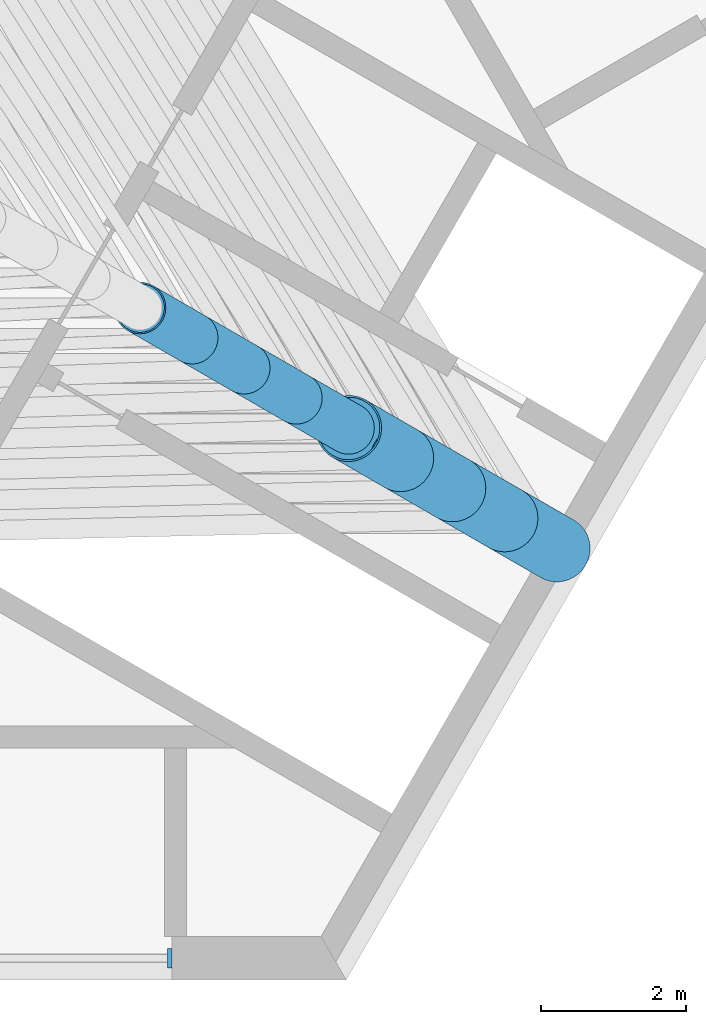
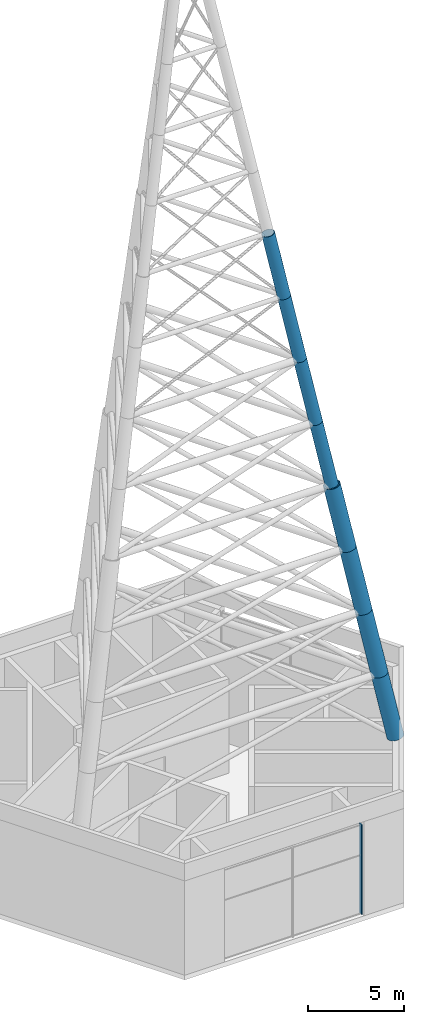
# One storey, part 5 of 10: 9 members, 1 element without a shape of its own.
"""IFC4 building model written with IfcOpenShell, lengths in metres."""

import ifcopenshell
import ifcopenshell.guid

model = None  # the IFC model being written
_history = None  # IfcOwnerHistory: only IFC2X3 demands one
_inside = {}  # id of a spatial element -> (the spatial element, [elements in it])
_under = {}  # id of a project, library or spatial element -> (it, [spatial elements below it])
_declared = {}  # id of a project -> (the project, [libraries it declares])
_typed = {}  # id of a type object -> (the type object, [elements of that type])
_made_of = {}  # id of a material, layer set ... -> (it, [elements and type objects made of it])


def new_model(schema):
    """Start an empty IFC model of exactly this schema.

    Asked for "IFC4X3", IfcOpenShell would pick the latest addendum, in which some entities
    have other attributes; the version numbers below select the first issue.
    IFC2X3 requires an IfcOwnerHistory on every rooted entity: one is made here for all.
    """
    global model, _history
    if schema == "IFC4X3":
        model = ifcopenshell.file(schema_version=(4, 3, 0, 0))
    else:
        model = ifcopenshell.file(schema=schema)
    _inside.clear()
    _under.clear()
    _declared.clear()
    _typed.clear()
    _made_of.clear()
    _history = None
    if model.schema == "IFC2X3":
        org = make("IfcOrganization", Name="unknown")
        user = make(
            "IfcPersonAndOrganization",
            ThePerson=make("IfcPerson", FamilyName="unknown"),
            TheOrganization=org,
        )
        app = make(
            "IfcApplication",
            ApplicationDeveloper=org,
            Version="unknown",
            ApplicationFullName="unknown",
            ApplicationIdentifier="unknown",
        )
        _history = make(
            "IfcOwnerHistory",
            OwningUser=user,
            OwningApplication=app,
            ChangeAction="ADDED",
            CreationDate=0,
        )
    return model


def make(cls, **values):
    """One entity of the class cls with the attributes given. An attribute that is None is left unset."""
    return model.create_entity(
        cls, **{name: value for name, value in values.items() if value is not None}
    )


def rooted(cls, **values):
    """An entity with a GlobalId (a new one), such as an element, a storey or a relation."""
    return make(cls, GlobalId=ifcopenshell.guid.new(), OwnerHistory=_history, **values)


def si_unit(unit_type, name, prefix=None):
    """IfcSIUnit, for example si_unit("LENGTHUNIT", "METRE", prefix="MILLI")."""
    return make("IfcSIUnit", UnitType=unit_type, Prefix=prefix, Name=name)


def assignment(units):
    """IfcUnitAssignment: the units of a project."""
    return None if units is None else make("IfcUnitAssignment", Units=units)


def point(xyz):
    """IfcCartesianPoint."""
    return None if xyz is None else make("IfcCartesianPoint", Coordinates=xyz)


def direction(xyz):
    """IfcDirection."""
    return None if xyz is None else make("IfcDirection", DirectionRatios=xyz)


def frame(location, z_axis=None, x_axis=None):
    """IfcAxis2Placement3D, a coordinate frame: its origin and axes. An axis left out is left unset."""
    return make(
        "IfcAxis2Placement3D",
        Location=point(location),
        Axis=direction(z_axis),
        RefDirection=direction(x_axis),
    )


def frame_2d(location, x_axis=None):
    """IfcAxis2Placement2D, a coordinate frame in the plane: its origin and x axis."""
    return make(
        "IfcAxis2Placement2D", Location=point(location), RefDirection=direction(x_axis)
    )


def origin():
    """The frame at (0, 0, 0) with its axes left unset."""
    return frame((0.0, 0.0, 0.0))


def origin_2d():
    """The frame at (0, 0) in the plane with its x axis left unset."""
    return frame_2d((0.0, 0.0))


def place(relative_to, where):
    """IfcLocalPlacement: puts the frame where relative to a parent placement (None: the world)."""
    return make(
        "IfcLocalPlacement", PlacementRelTo=relative_to, RelativePlacement=where
    )


def context(
    kind, dimensions, precision=None, world=None, true_north=None, identifier=None
):
    """IfcGeometricRepresentationContext, for example the 3D "Model" context."""
    return make(
        "IfcGeometricRepresentationContext",
        ContextIdentifier=identifier,
        ContextType=kind,
        CoordinateSpaceDimension=dimensions,
        Precision=precision,
        WorldCoordinateSystem=world,
        TrueNorth=true_north,
    )


def subcontext(parent, identifier, kind, view, scale=None):
    """IfcGeometricRepresentationSubContext, for example "Body" below "Model"."""
    return make(
        "IfcGeometricRepresentationSubContext",
        ContextIdentifier=identifier,
        ContextType=kind,
        ParentContext=parent,
        TargetScale=scale,
        TargetView=view,
    )


def project(units=None, contexts=None):
    """IfcProject with its units and contexts."""
    return rooted(
        "IfcProject",
        Name="project",
        RepresentationContexts=contexts,
        UnitsInContext=assignment(units),
    )


def spatial(cls, under=None, at=None, **own):
    """A site, building, storey or space (cls), placed at a placement, below another one or the project."""
    s = rooted(cls, ObjectPlacement=at, **own)
    if under is not None:
        _under.setdefault(under.id(), (under, []))[1].append(s)
    return s


def profile(cls, at=None, kind="AREA", **sizes):
    """A parametric profile (cls). Its sizes go by their IFC names, for example OverallWidth=200.0."""
    return make(cls, ProfileType=kind, Position=at, **sizes)


def rectangle(**sizes):
    """IfcRectangleProfileDef."""
    return profile("IfcRectangleProfileDef", **sizes)


def hollow_circle(**sizes):
    """IfcCircleHollowProfileDef."""
    return profile("IfcCircleHollowProfileDef", **sizes)


def extrude(swept, where, along, depth):
    """IfcExtrudedAreaSolid: the profile swept, set in the frame where, extruded along a direction by depth."""
    return make(
        "IfcExtrudedAreaSolid",
        SweptArea=swept,
        Position=where,
        ExtrudedDirection=direction(along),
        Depth=depth,
    )


def shape(context_of_items, identifier, shape_type, items):
    """IfcShapeRepresentation: the items that make up one representation, for example the "Body"."""
    return make(
        "IfcShapeRepresentation",
        ContextOfItems=context_of_items,
        RepresentationIdentifier=identifier,
        RepresentationType=shape_type,
        Items=items,
    )


def material(Name=None, Category=None):
    """IfcMaterial."""
    return make("IfcMaterial", Name=Name, Category=Category)


def material_profile(
    of_material, cross_section, Name=None, Category=None, Priority=None
):
    """IfcMaterialProfile: a cross section and its material."""
    return make(
        "IfcMaterialProfile",
        Name=Name,
        Material=of_material,
        Profile=cross_section,
        Priority=Priority,
        Category=Category,
    )


def profile_set(profiles, Name=None, composite=None):
    """IfcMaterialProfileSet."""
    return make(
        "IfcMaterialProfileSet",
        Name=Name,
        MaterialProfiles=profiles,
        CompositeProfile=composite,
    )


def made_of(thing, what):
    """Note that an element or type object is made of a material, layer set ...; save() writes the relation."""
    if what is not None:
        _made_of.setdefault(what.id(), (what, []))[1].append(thing)
    return thing


def type_object(cls, material=None, **own):
    """A type object (cls), such as IfcWallType, which elements share."""
    return made_of(rooted(cls, **own), material)


def element(
    cls,
    number,
    at=None,
    inside=None,
    cuts=None,
    type_object=None,
    material=None,
    context=None,
    identifier="Body",
    shape_type=None,
    held_by="IfcProductDefinitionShape",
    body=None,
    shapes=None,
    **own,
):
    """One element of the class cls, such as IfcWall. Its Tag is "e" and its number.

    at: its placement. inside: the storey or other place that contains it. cuts: it is an
    opening in that element (IfcRelVoidsElement). A single representation is given by context,
    identifier, shape_type and body (its items); several are given by shapes. held_by: the class
    of the entity that holds the representations. save() writes the other relations.
    """
    e = rooted(cls, Tag="e%d" % number, ObjectPlacement=at, **own)
    if body is not None:
        shapes = [shape(context, identifier, shape_type, body)]
    if shapes is not None:
        e.Representation = make(held_by, Representations=shapes)
    if inside is not None:
        _inside.setdefault(inside.id(), (inside, []))[1].append(e)
    if cuts is not None:
        rooted(
            "IfcRelVoidsElement", RelatingBuildingElement=cuts, RelatedOpeningElement=e
        )
    if type_object is not None:
        _typed.setdefault(type_object.id(), (type_object, []))[1].append(e)
    return made_of(e, material)


def aggregate(whole, parts):
    """IfcRelAggregates: a whole, such as a stair, and the parts it consists of."""
    return rooted("IfcRelAggregates", RelatingObject=whole, RelatedObjects=parts)


def save(model, path):
    """Write the relations noted so far, then the file.

    IfcRelAggregates (storeys below a building ...), IfcRelContainedInSpatialStructure (elements
    in a storey), IfcRelDefinesByType, IfcRelAssociatesMaterial and IfcRelDeclares: one each for
    every whole, place, type object, material and project.
    """
    for whole, parts in _under.values():
        aggregate(whole, parts)
    for where, things in _inside.values():
        rooted(
            "IfcRelContainedInSpatialStructure",
            RelatedElements=things,
            RelatingStructure=where,
        )
    for kind, things in _typed.values():
        rooted("IfcRelDefinesByType", RelatedObjects=things, RelatingType=kind)
    for what, things in _made_of.values():
        rooted("IfcRelAssociatesMaterial", RelatedObjects=things, RelatingMaterial=what)
    for by, libraries in _declared.values():
        rooted("IfcRelDeclares", RelatingContext=by, RelatedDefinitions=libraries)
    model.write(path)


model = new_model("IFC4")

# Units and contexts
model_context = context("Model", 3, precision=1e-05, world=origin(), true_north=direction((0.0, 1.0)))
body_context = subcontext(model_context, "Body", "Model", "MODEL_VIEW")
ifc_project = project(units=[si_unit("LENGTHUNIT", "METRE"), si_unit("AREAUNIT", "SQUARE_METRE"), si_unit("VOLUMEUNIT", "CUBIC_METRE"), si_unit("PLANEANGLEUNIT", "RADIAN"), si_unit("MASSUNIT", "GRAM", prefix="KILO")], contexts=[model_context])

# Site, building, storey
site_placement = place(None, origin())
site = spatial("IfcSite", under=ifc_project, at=site_placement, CompositionType="ELEMENT")
building_placement = place(site_placement, origin())
building = spatial("IfcBuilding", under=site, at=building_placement, Name="Impinga Residences", CompositionType="ELEMENT")
storey_placement = place(building_placement, frame((0.0, 0.0, 301.75)))
storey = spatial("IfcBuildingStorey", under=building, at=storey_placement, Name="L75", CompositionType="ELEMENT", Elevation=301.75)

# Curtain wall, member
ifc_material_1 = material(Name="Aluminium stick curtain wall", Category="aluminium")
curtain_wall_type = type_object("IfcCurtainWallType", Name="CW4 plant floor louvred curtain wall", PredefinedType="USERDEFINED", material=ifc_material_1)
curtain_wall_placement = place(storey_placement, origin())
curtain_wall = element("IfcCurtainWall", 1, at=curtain_wall_placement, inside=storey, type_object=curtain_wall_type, Name="Curtain wall CW4 L75", ObjectType="STICK CURTAIN WALL", PredefinedType="USERDEFINED")
ifc_material_2 = material(Name="Aluminium mullion", Category="aluminium")
ifc_material_profile_1 = material_profile(ifc_material_2, rectangle(XDim=0.06005859375, YDim=0.27490234375, at=origin_2d()), Name="60x275 mullion")
ifc_profile_set_1 = profile_set([ifc_material_profile_1], Name="Aluminium mullion")
member_type_1 = type_object("IfcMemberType", Name="CW4-M mullion 60x275", PredefinedType="MULLION", material=ifc_profile_set_1)
member_1_placement = place(storey_placement, frame((4.169921875, -11.131591796875, 0.0), z_axis=(0.0, 0.0, 1.0), x_axis=(1.0, 0.0, 0.0)))
member_1 = element("IfcMember", 2, at=member_1_placement, type_object=member_type_1, Name="CW4 mullion 3", PredefinedType="MULLION", context=body_context, shape_type="SweptSolid", body=[
    extrude(rectangle(XDim=0.06005859375, YDim=0.27490234375, at=origin_2d()), origin(), (0.0, 0.0, 1.0), 5.699951171875),
])
aggregate(curtain_wall, [member_1])

# Members
ifc_material_3 = material(Name="Steel S355J2H", Category="steel")
ifc_material_profile_2 = material_profile(ifc_material_3, hollow_circle(Radius=0.457275390625, WallThickness=0.02490234375, at=origin_2d()), Name="CHS 914.4x25")
ifc_profile_set_2 = profile_set([ifc_material_profile_2], Name="Steel S355J2H")
member_type_2 = type_object("IfcMemberType", Name="SP1 SPIRE CHS 914.4x25", PredefinedType="MEMBER", material=ifc_profile_set_2)
member_2_placement = place(storey_placement, frame((9.51025390625, -5.49072265625, 6.0), z_axis=(-0.17582628445, 0.101479616246, 0.979176697631), x_axis=(-0.499875358948, -0.866097353371, 0.0)))
element("IfcMember", 3, at=member_2_placement, inside=storey, type_object=member_type_2, Name="SPIRE leg E panel 1", PredefinedType="MEMBER", context=body_context, shape_type="SweptSolid", body=[
    extrude(hollow_circle(Radius=0.457275390625, WallThickness=0.02490234375, at=origin_2d()), origin(), (0.0, 0.0, 1.0), 4.0849609375),
])
member_3_placement = place(storey_placement, frame((8.7919921875, -5.076171875, 10.0), z_axis=(-0.175825217786, 0.101538764452, 0.979170757378), x_axis=(-0.500096139896, -0.865969890274, 0.0)))
element("IfcMember", 4, at=member_3_placement, inside=storey, type_object=member_type_2, Name="SPIRE leg E panel 2", PredefinedType="MEMBER", context=body_context, shape_type="SweptSolid", body=[
    extrude(hollow_circle(Radius=0.457275390625, WallThickness=0.02490234375, at=origin_2d()), origin(), (0.0, 0.0, 1.0), 4.085205078125),
])
for number, where, z_axis, x_axis, name in (
    (5, (8.07373046875, -4.661376953125, 14.0), (-0.17582628445, 0.101479616246, 0.979176697631), (-0.499875358948, -0.866097353371, 0.0), "SPIRE leg E panel 3"),
    (6, (7.35546875, -4.246826171875, 18.0), (-0.175767300603, 0.101539831256, 0.979181044908), (-0.500223639449, -0.865896246981, 0.0), "SPIRE leg E panel 4"),
):
    element("IfcMember", number, at=place(storey_placement, frame(where, z_axis=z_axis, x_axis=x_axis)), inside=storey, type_object=member_type_2, Name=name, PredefinedType="MEMBER", context=body_context, shape_type="SweptSolid", body=[
        extrude(hollow_circle(Radius=0.457275390625, WallThickness=0.02490234375, at=origin_2d()), origin(), (0.0, 0.0, 1.0), 4.0849609375),
    ])
ifc_material_profile_3 = material_profile(ifc_material_3, hollow_circle(Radius=0.35546875, WallThickness=0.02001953125, at=origin_2d()), Name="CHS 711x20")
ifc_profile_set_3 = profile_set([ifc_material_profile_3], Name="Steel S355J2H")
member_type_3 = type_object("IfcMemberType", Name="SP2 SPIRE CHS 711x20", PredefinedType="MEMBER", material=ifc_profile_set_3)
member_4_placement = place(storey_placement, frame((6.637451171875, -3.83203125, 22.0), z_axis=(-0.17582628445, 0.101479616246, 0.979176697631), x_axis=(-0.499875358948, -0.866097353371, 0.0)))
element("IfcMember", 7, at=member_4_placement, inside=storey, type_object=member_type_3, Name="SPIRE leg E panel 5", PredefinedType="MEMBER", context=body_context, shape_type="SweptSolid", body=[
    extrude(hollow_circle(Radius=0.35546875, WallThickness=0.02001953125, at=origin_2d()), origin(), (0.0, 0.0, 1.0), 4.0849609375),
])
member_5_placement = place(storey_placement, frame((5.919189453125, -3.41748046875, 26.0), z_axis=(-0.175825217786, 0.101538764452, 0.979170757378), x_axis=(-0.500096139896, -0.865969890274, 0.0)))
element("IfcMember", 8, at=member_5_placement, inside=storey, type_object=member_type_3, Name="SPIRE leg E panel 6", PredefinedType="MEMBER", context=body_context, shape_type="SweptSolid", body=[
    extrude(hollow_circle(Radius=0.35546875, WallThickness=0.02001953125, at=origin_2d()), origin(), (0.0, 0.0, 1.0), 4.085205078125),
])
member_6_placement = place(storey_placement, frame((5.200927734375, -3.002685546875, 30.0), z_axis=(-0.17582628445, 0.101479616246, 0.979176697631), x_axis=(-0.499875358948, -0.866097353371, 0.0)))
element("IfcMember", 9, at=member_6_placement, inside=storey, type_object=member_type_3, Name="SPIRE leg E panel 7", PredefinedType="MEMBER", context=body_context, shape_type="SweptSolid", body=[
    extrude(hollow_circle(Radius=0.35546875, WallThickness=0.02001953125, at=origin_2d()), origin(), (0.0, 0.0, 1.0), 4.0849609375),
])
member_7_placement = place(storey_placement, frame((4.482666015625, -2.588134765625, 34.0), z_axis=(-0.175825217786, 0.101538764452, 0.979170757378), x_axis=(-0.500096139896, -0.865969890274, 0.0)))
element("IfcMember", 10, at=member_7_placement, inside=storey, type_object=member_type_3, Name="SPIRE leg E panel 8", PredefinedType="MEMBER", context=body_context, shape_type="SweptSolid", body=[
    extrude(hollow_circle(Radius=0.35546875, WallThickness=0.02001953125, at=origin_2d()), origin(), (0.0, 0.0, 1.0), 4.085205078125),
])

save(model, "model.ifc")
